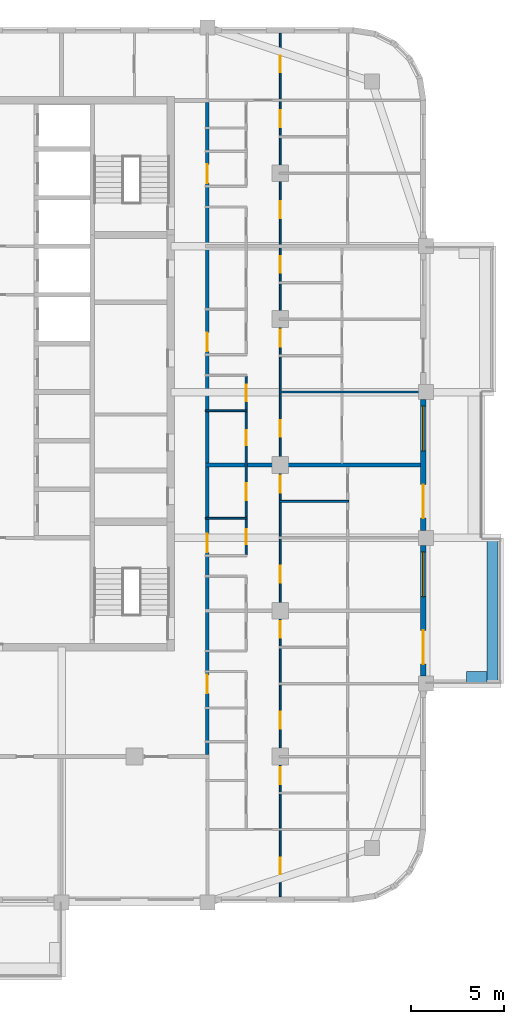
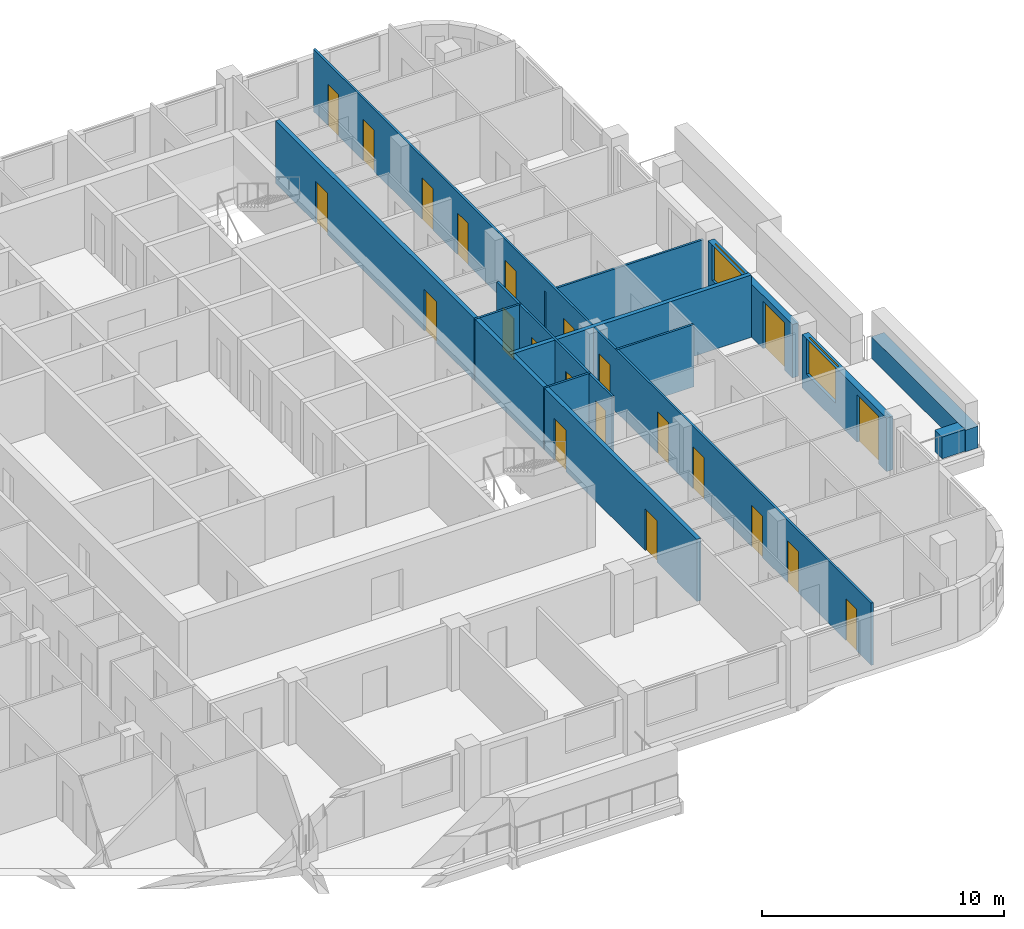
# One storey, part 7 of 16: 22 doors, 12 walls, 2 windows, 24 openings.
"""IFC4 building model written with IfcOpenShell, lengths in metres."""

import ifcopenshell
import ifcopenshell.guid

model = None  # the IFC model being written
_history = None  # IfcOwnerHistory: only IFC2X3 demands one
_inside = {}  # id of a spatial element -> (the spatial element, [elements in it])
_under = {}  # id of a project, library or spatial element -> (it, [spatial elements below it])
_declared = {}  # id of a project -> (the project, [libraries it declares])
_typed = {}  # id of a type object -> (the type object, [elements of that type])
_made_of = {}  # id of a material, layer set ... -> (it, [elements and type objects made of it])


def new_model(schema):
    """Start an empty IFC model of exactly this schema.

    Asked for "IFC4X3", IfcOpenShell would pick the latest addendum, in which some entities
    have other attributes; the version numbers below select the first issue.
    IFC2X3 requires an IfcOwnerHistory on every rooted entity: one is made here for all.
    """
    global model, _history
    if schema == "IFC4X3":
        model = ifcopenshell.file(schema_version=(4, 3, 0, 0))
    else:
        model = ifcopenshell.file(schema=schema)
    _inside.clear()
    _under.clear()
    _declared.clear()
    _typed.clear()
    _made_of.clear()
    _history = None
    if model.schema == "IFC2X3":
        org = make("IfcOrganization", Name="unknown")
        user = make(
            "IfcPersonAndOrganization",
            ThePerson=make("IfcPerson", FamilyName="unknown"),
            TheOrganization=org,
        )
        app = make(
            "IfcApplication",
            ApplicationDeveloper=org,
            Version="unknown",
            ApplicationFullName="unknown",
            ApplicationIdentifier="unknown",
        )
        _history = make(
            "IfcOwnerHistory",
            OwningUser=user,
            OwningApplication=app,
            ChangeAction="ADDED",
            CreationDate=0,
        )
    return model


def make(cls, **values):
    """One entity of the class cls with the attributes given. An attribute that is None is left unset."""
    return model.create_entity(
        cls, **{name: value for name, value in values.items() if value is not None}
    )


def rooted(cls, **values):
    """An entity with a GlobalId (a new one), such as an element, a storey or a relation."""
    return make(cls, GlobalId=ifcopenshell.guid.new(), OwnerHistory=_history, **values)


def si_unit(unit_type, name, prefix=None):
    """IfcSIUnit, for example si_unit("LENGTHUNIT", "METRE", prefix="MILLI")."""
    return make("IfcSIUnit", UnitType=unit_type, Prefix=prefix, Name=name)


def assignment(units):
    """IfcUnitAssignment: the units of a project."""
    return None if units is None else make("IfcUnitAssignment", Units=units)


def point(xyz):
    """IfcCartesianPoint."""
    return None if xyz is None else make("IfcCartesianPoint", Coordinates=xyz)


def direction(xyz):
    """IfcDirection."""
    return None if xyz is None else make("IfcDirection", DirectionRatios=xyz)


def frame(location, z_axis=None, x_axis=None):
    """IfcAxis2Placement3D, a coordinate frame: its origin and axes. An axis left out is left unset."""
    return make(
        "IfcAxis2Placement3D",
        Location=point(location),
        Axis=direction(z_axis),
        RefDirection=direction(x_axis),
    )


def frame_2d(location, x_axis=None):
    """IfcAxis2Placement2D, a coordinate frame in the plane: its origin and x axis."""
    return make(
        "IfcAxis2Placement2D", Location=point(location), RefDirection=direction(x_axis)
    )


def origin():
    """The frame at (0, 0, 0) with its axes left unset."""
    return frame((0.0, 0.0, 0.0))


def place(relative_to, where):
    """IfcLocalPlacement: puts the frame where relative to a parent placement (None: the world)."""
    return make(
        "IfcLocalPlacement", PlacementRelTo=relative_to, RelativePlacement=where
    )


def context(
    kind, dimensions, precision=None, world=None, true_north=None, identifier=None
):
    """IfcGeometricRepresentationContext, for example the 3D "Model" context."""
    return make(
        "IfcGeometricRepresentationContext",
        ContextIdentifier=identifier,
        ContextType=kind,
        CoordinateSpaceDimension=dimensions,
        Precision=precision,
        WorldCoordinateSystem=world,
        TrueNorth=true_north,
    )


def subcontext(parent, identifier, kind, view, scale=None):
    """IfcGeometricRepresentationSubContext, for example "Body" below "Model"."""
    return make(
        "IfcGeometricRepresentationSubContext",
        ContextIdentifier=identifier,
        ContextType=kind,
        ParentContext=parent,
        TargetScale=scale,
        TargetView=view,
    )


def project(units=None, contexts=None):
    """IfcProject with its units and contexts."""
    return rooted(
        "IfcProject",
        Name="project",
        RepresentationContexts=contexts,
        UnitsInContext=assignment(units),
    )


def spatial(cls, under=None, at=None, **own):
    """A site, building, storey or space (cls), placed at a placement, below another one or the project."""
    s = rooted(cls, ObjectPlacement=at, **own)
    if under is not None:
        _under.setdefault(under.id(), (under, []))[1].append(s)
    return s


def profile(cls, at=None, kind="AREA", **sizes):
    """A parametric profile (cls). Its sizes go by their IFC names, for example OverallWidth=200.0."""
    return make(cls, ProfileType=kind, Position=at, **sizes)


def rectangle(**sizes):
    """IfcRectangleProfileDef."""
    return profile("IfcRectangleProfileDef", **sizes)


def extrude(swept, where, along, depth):
    """IfcExtrudedAreaSolid: the profile swept, set in the frame where, extruded along a direction by depth."""
    return make(
        "IfcExtrudedAreaSolid",
        SweptArea=swept,
        Position=where,
        ExtrudedDirection=direction(along),
        Depth=depth,
    )


def shape(context_of_items, identifier, shape_type, items):
    """IfcShapeRepresentation: the items that make up one representation, for example the "Body"."""
    return make(
        "IfcShapeRepresentation",
        ContextOfItems=context_of_items,
        RepresentationIdentifier=identifier,
        RepresentationType=shape_type,
        Items=items,
    )


def material(Name=None, Category=None):
    """IfcMaterial."""
    return make("IfcMaterial", Name=Name, Category=Category)


def layer(
    of_material, thickness, ventilated=None, Name=None, Category=None, Priority=None
):
    """IfcMaterialLayer: one layer of a wall or slab, of a material (None: an air gap)."""
    return make(
        "IfcMaterialLayer",
        Material=of_material,
        LayerThickness=thickness,
        IsVentilated=ventilated,
        Name=Name,
        Category=Category,
        Priority=Priority,
    )


def layer_set(layers, Name=None):
    """IfcMaterialLayerSet."""
    return make("IfcMaterialLayerSet", MaterialLayers=layers, LayerSetName=Name)


def made_of(thing, what):
    """Note that an element or type object is made of a material, layer set ...; save() writes the relation."""
    if what is not None:
        _made_of.setdefault(what.id(), (what, []))[1].append(thing)
    return thing


def type_object(cls, material=None, **own):
    """A type object (cls), such as IfcWallType, which elements share."""
    return made_of(rooted(cls, **own), material)


def element(
    cls,
    number,
    at=None,
    inside=None,
    cuts=None,
    type_object=None,
    material=None,
    context=None,
    identifier="Body",
    shape_type=None,
    held_by="IfcProductDefinitionShape",
    body=None,
    shapes=None,
    **own,
):
    """One element of the class cls, such as IfcWall. Its Tag is "e" and its number.

    at: its placement. inside: the storey or other place that contains it. cuts: it is an
    opening in that element (IfcRelVoidsElement). A single representation is given by context,
    identifier, shape_type and body (its items); several are given by shapes. held_by: the class
    of the entity that holds the representations. save() writes the other relations.
    """
    e = rooted(cls, Tag="e%d" % number, ObjectPlacement=at, **own)
    if body is not None:
        shapes = [shape(context, identifier, shape_type, body)]
    if shapes is not None:
        e.Representation = make(held_by, Representations=shapes)
    if inside is not None:
        _inside.setdefault(inside.id(), (inside, []))[1].append(e)
    if cuts is not None:
        rooted(
            "IfcRelVoidsElement", RelatingBuildingElement=cuts, RelatedOpeningElement=e
        )
    if type_object is not None:
        _typed.setdefault(type_object.id(), (type_object, []))[1].append(e)
    return made_of(e, material)


def fill(opening, filler):
    """IfcRelFillsElement: the door or window that sits in an opening."""
    return rooted(
        "IfcRelFillsElement",
        RelatingOpeningElement=opening,
        RelatedBuildingElement=filler,
    )


def aggregate(whole, parts):
    """IfcRelAggregates: a whole, such as a stair, and the parts it consists of."""
    return rooted("IfcRelAggregates", RelatingObject=whole, RelatedObjects=parts)


def save(model, path):
    """Write the relations noted so far, then the file.

    IfcRelAggregates (storeys below a building ...), IfcRelContainedInSpatialStructure (elements
    in a storey), IfcRelDefinesByType, IfcRelAssociatesMaterial and IfcRelDeclares: one each for
    every whole, place, type object, material and project.
    """
    for whole, parts in _under.values():
        aggregate(whole, parts)
    for where, things in _inside.values():
        rooted(
            "IfcRelContainedInSpatialStructure",
            RelatedElements=things,
            RelatingStructure=where,
        )
    for kind, things in _typed.values():
        rooted("IfcRelDefinesByType", RelatedObjects=things, RelatingType=kind)
    for what, things in _made_of.values():
        rooted("IfcRelAssociatesMaterial", RelatedObjects=things, RelatingMaterial=what)
    for by, libraries in _declared.values():
        rooted("IfcRelDeclares", RelatingContext=by, RelatedDefinitions=libraries)
    model.write(path)


model = new_model("IFC4")

# Units and contexts
model_context = context("Model", 3, precision=1e-05, world=origin(), true_north=direction((0.0, 1.0)))
body_context = subcontext(model_context, "Body", "Model", "MODEL_VIEW")
ifc_project = project(units=[si_unit("LENGTHUNIT", "METRE"), si_unit("AREAUNIT", "SQUARE_METRE"), si_unit("VOLUMEUNIT", "CUBIC_METRE"), si_unit("PLANEANGLEUNIT", "RADIAN"), si_unit("MASSUNIT", "GRAM", prefix="KILO")], contexts=[model_context])

# Site, building, storey
site_placement = place(None, origin())
site = spatial("IfcSite", under=ifc_project, at=site_placement, CompositionType="ELEMENT")
building_placement = place(site_placement, origin())
building = spatial("IfcBuilding", under=site, at=building_placement, Name="Ludao Terraces", CompositionType="ELEMENT")
storey_placement = place(building_placement, frame((0.0, 0.0, 214.300048828125)))
storey = spatial("IfcBuildingStorey", under=building, at=storey_placement, Name="L58", CompositionType="ELEMENT", Elevation=214.300048828125)

# Walls
ifc_material_1 = material(Name="Concrete C40", Category="concrete")
ifc_layer_1 = layer(ifc_material_1, 0.60009765625)
ifc_layer_set_1 = layer_set([ifc_layer_1], Name="ENV Planter trough 600")
wall_type_1 = type_object("IfcWallType", Name="ENV Planter trough 600", PredefinedType="USERDEFINED", material=ifc_layer_set_1)
wall_1_placement = place(storey_placement, frame((111.949951171875, 53.300048828125, 0.0), z_axis=(0.0, 0.0, 1.0), x_axis=(0.0, 1.0, 0.0)))
element("IfcWall", 1, at=wall_1_placement, inside=storey, type_object=wall_type_1, Name="PL-L58-E1", ObjectType="PLANTER", PredefinedType="USERDEFINED", context=body_context, shape_type="SweptSolid", body=[
    extrude(rectangle(XDim=7.800048828125, YDim=0.60009765625, at=frame_2d((3.89990234375, 0.0))), origin(), (0.0, 0.0, 1.0), 1.099853515625),
])
wall_2_placement = place(storey_placement, frame((111.64990234375, 53.64990234375, 0.0), z_axis=(0.0, 0.0, 1.0), x_axis=(-1.0, 0.0, 0.0)))
element("IfcWall", 2, at=wall_2_placement, inside=storey, type_object=wall_type_1, Name="PL-L58-E1-SA", ObjectType="PLANTER", PredefinedType="USERDEFINED", context=body_context, shape_type="SweptSolid", body=[
    extrude(rectangle(XDim=1.099853515625, YDim=0.60009765625, at=frame_2d((0.5498046875, 0.0))), origin(), (0.0, 0.0, 1.0), 1.099853515625),
])

# Wall, openings, door, window
ifc_material_2 = material(Name="Granite cladding", Category="masonry")
ifc_layer_2 = layer(ifc_material_2, 0.0400390625, Category="stone")
ifc_material_3 = material(Name="Mineral wool")
ifc_layer_3 = layer(ifc_material_3, 0.06005859375)
ifc_layer_4 = layer(ifc_material_1, 0.199951171875, Category="concrete")
ifc_layer_set_2 = layer_set([ifc_layer_2, ifc_layer_3, ifc_layer_4], Name="ENV Stone-clad wall 300")
wall_type_2 = type_object("IfcWallType", Name="ENV Stone-clad wall 300", PredefinedType="SOLIDWALL", material=ifc_layer_set_2)
wall_3_placement = place(storey_placement, frame((108.25, 53.699951171875, 0.0), z_axis=(0.0, 0.0, 1.0), x_axis=(0.0, 1.0, 0.0)))
wall_3 = element("IfcWall", 3, at=wall_3_placement, inside=storey, type_object=wall_type_2, Name="EW-L58-E2", PredefinedType="SOLIDWALL", context=body_context, shape_type="SweptSolid", body=[
    extrude(rectangle(XDim=7.0, YDim=0.300048828125, at=frame_2d((3.5, 0.0))), origin(), (0.0, 0.0, 1.0), 2.699951171875),
])
opening_1_placement = place(wall_3_placement, frame((0.64990234375, 0.0, 0.0)))
opening_1 = element("IfcOpeningElement", 4, at=opening_1_placement, cuts=wall_3, Name="Opening BD", PredefinedType="OPENING", context=body_context, shape_type="SweptSolid", body=[
    extrude(rectangle(XDim=1.800048828125, YDim=2.39990234375, at=frame_2d((0.89990234375, 1.199951171875))), frame((0.0, 0.16015625, 0.0), z_axis=(0.0, -1.0, 0.0), x_axis=(1.0, 0.0, 0.0)), (0.0, 0.0, 1.0), 0.320068359375),
])
opening_2_placement = place(wall_3_placement, frame((4.25, 0.0, 0.89990234375)))
opening_2 = element("IfcOpeningElement", 5, at=opening_2_placement, cuts=wall_3, Name="Opening W1", PredefinedType="OPENING", context=body_context, shape_type="SweptSolid", body=[
    extrude(rectangle(XDim=2.39990234375, YDim=1.800048828125, at=frame_2d((1.199951171875, 0.89990234375))), frame((0.0, 0.16015625, 0.0), z_axis=(0.0, -1.0, 0.0), x_axis=(1.0, 0.0, 0.0)), (0.0, 0.0, 1.0), 0.320068359375),
])
ifc_material_4 = material(Name="Aluminium glazed door", Category="aluminium")
ifc_layer_5 = layer(ifc_material_4, 0.06005859375)
ifc_layer_set_3 = layer_set([ifc_layer_5], Name="ENV Balcony door BD 1800x2400")
door_type_1 = type_object("IfcDoorType", Name="ENV Balcony door BD 1800x2400", OperationType="DOUBLE_DOOR_SINGLE_SWING", PredefinedType="DOOR", material=ifc_layer_set_3)
door_1_placement = place(opening_1_placement, origin())
door_1 = element("IfcDoor", 6, at=door_1_placement, inside=storey, type_object=door_type_1, Name="BD-L58-E2-1", OperationType="DOUBLE_DOOR_SINGLE_SWING", OverallHeight=2.39990234375, OverallWidth=1.800048828125, PredefinedType="DOOR", context=body_context, shape_type="SweptSolid", body=[
    extrude(rectangle(XDim=1.800048828125, YDim=2.39990234375, at=frame_2d((0.89990234375, 1.199951171875))), frame((0.0, 0.02490234375, 0.0), z_axis=(0.0, -1.0, 0.0), x_axis=(1.0, 0.0, 0.0)), (0.0, 0.0, 1.0), 0.050048828125),
])
fill(opening_1, door_1)
ifc_material_5 = material(Name="Clear glass in aluminium frame", Category="aluminium")
ifc_layer_6 = layer(ifc_material_5, 0.06005859375)
ifc_layer_set_4 = layer_set([ifc_layer_6], Name="ENV Window W1 2400x1800")
window_type = type_object("IfcWindowType", Name="ENV Window W1 2400x1800", PartitioningType="DOUBLE_PANEL_VERTICAL", PredefinedType="WINDOW", material=ifc_layer_set_4)
window_1_placement = place(opening_2_placement, origin())
window_1 = element("IfcWindow", 7, at=window_1_placement, inside=storey, type_object=window_type, Name="W-L58-E2-2", OverallHeight=1.800048828125, OverallWidth=2.39990234375, PartitioningType="DOUBLE_PANEL_VERTICAL", PredefinedType="WINDOW", context=body_context, shape_type="SweptSolid", body=[
    extrude(rectangle(XDim=2.39990234375, YDim=1.800048828125, at=frame_2d((1.199951171875, 0.89990234375))), frame((0.0, 0.030029296875, 0.0), z_axis=(0.0, -1.0, 0.0), x_axis=(1.0, 0.0, 0.0)), (0.0, 0.0, 1.0), 0.06005859375),
])
fill(opening_2, window_1)

wall_4_placement = place(storey_placement, frame((108.25, 61.5, 0.0), z_axis=(0.0, 0.0, 1.0), x_axis=(0.0, 1.0, 0.0)))
wall_4 = element("IfcWall", 8, at=wall_4_placement, inside=storey, type_object=wall_type_2, Name="EW-L58-E3", PredefinedType="SOLIDWALL", context=body_context, shape_type="SweptSolid", body=[
    extrude(rectangle(XDim=7.0, YDim=0.300048828125, at=frame_2d((3.5, 0.0))), origin(), (0.0, 0.0, 1.0), 2.699951171875),
])
opening_3_placement = place(wall_4_placement, frame((0.64990234375, 0.0, 0.0)))
opening_3 = element("IfcOpeningElement", 9, at=opening_3_placement, cuts=wall_4, Name="Opening BD", PredefinedType="OPENING", context=body_context, shape_type="SweptSolid", body=[
    extrude(rectangle(XDim=1.800048828125, YDim=2.39990234375, at=frame_2d((0.89990234375, 1.199951171875))), frame((0.0, 0.16015625, 0.0), z_axis=(0.0, -1.0, 0.0), x_axis=(1.0, 0.0, 0.0)), (0.0, 0.0, 1.0), 0.320068359375),
])
opening_4_placement = place(wall_4_placement, frame((4.25, 0.0, 0.89990234375)))
opening_4 = element("IfcOpeningElement", 10, at=opening_4_placement, cuts=wall_4, Name="Opening W1", PredefinedType="OPENING", context=body_context, shape_type="SweptSolid", body=[
    extrude(rectangle(XDim=2.39990234375, YDim=1.800048828125, at=frame_2d((1.199951171875, 0.89990234375))), frame((0.0, 0.16015625, 0.0), z_axis=(0.0, -1.0, 0.0), x_axis=(1.0, 0.0, 0.0)), (0.0, 0.0, 1.0), 0.320068359375),
])
door_2_placement = place(opening_3_placement, origin())
door_2 = element("IfcDoor", 11, at=door_2_placement, inside=storey, type_object=door_type_1, Name="BD-L58-E3-1", OperationType="DOUBLE_DOOR_SINGLE_SWING", OverallHeight=2.39990234375, OverallWidth=1.800048828125, PredefinedType="DOOR", context=body_context, shape_type="SweptSolid", body=[
    extrude(rectangle(XDim=1.800048828125, YDim=2.39990234375, at=frame_2d((0.89990234375, 1.199951171875))), frame((0.0, 0.02490234375, 0.0), z_axis=(0.0, -1.0, 0.0), x_axis=(1.0, 0.0, 0.0)), (0.0, 0.0, 1.0), 0.050048828125),
])
fill(opening_3, door_2)
window_2_placement = place(opening_4_placement, origin())
window_2 = element("IfcWindow", 12, at=window_2_placement, inside=storey, type_object=window_type, Name="W-L58-E3-2", OverallHeight=1.800048828125, OverallWidth=2.39990234375, PartitioningType="DOUBLE_PANEL_VERTICAL", PredefinedType="WINDOW", context=body_context, shape_type="SweptSolid", body=[
    extrude(rectangle(XDim=2.39990234375, YDim=1.800048828125, at=frame_2d((1.199951171875, 0.89990234375))), frame((0.0, 0.030029296875, 0.0), z_axis=(0.0, -1.0, 0.0), x_axis=(1.0, 0.0, 0.0)), (0.0, 0.0, 1.0), 0.06005859375),
])
fill(opening_4, window_2)

# Wall, openings, doors
ifc_material_6 = material(Name="Autoclaved aerated concrete block B06 A3.5", Category="concrete")
ifc_layer_7 = layer(ifc_material_6, 0.199951171875)
ifc_layer_set_5 = layer_set([ifc_layer_7], Name="INT Entrance wall 200")
wall_type_3 = type_object("IfcWallType", Name="INT Entrance wall 200", PredefinedType="PARTITIONING", material=ifc_layer_set_5)
wall_5_placement = place(storey_placement, frame((96.699951171875, 49.5, 0.0), z_axis=(0.0, 0.0, 1.0), x_axis=(0.0, 1.0, 0.0)))
wall_5 = element("IfcWall", 13, at=wall_5_placement, inside=storey, type_object=wall_type_3, Name="PW-L58-PW090", PredefinedType="PARTITIONING", context=body_context, shape_type="SweptSolid", body=[
    extrude(rectangle(XDim=34.900146484375, YDim=0.199951171875, at=frame_2d((17.4501953125, 0.0))), origin(), (0.0, 0.0, 1.0), 3.14990234375),
])
opening_5_placement = place(wall_5_placement, frame((3.275146484375, 0.0, 0.0)))
opening_5 = element("IfcOpeningElement", 14, at=opening_5_placement, cuts=wall_5, Name="Opening R21-028", PredefinedType="OPENING", context=body_context, shape_type="SweptSolid", body=[
    extrude(rectangle(XDim=1.0, YDim=2.10009765625, at=frame_2d((0.5, 1.050048828125))), frame((0.0, 0.10986328125, 0.0), z_axis=(0.0, -1.0, 0.0), x_axis=(1.0, 0.0, 0.0)), (0.0, 0.0, 1.0), 0.219970703125),
])
opening_6_placement = place(wall_5_placement, frame((10.8251953125, 0.0, 0.0)))
opening_6 = element("IfcOpeningElement", 15, at=opening_6_placement, cuts=wall_5, Name="Opening R21-049", PredefinedType="OPENING", context=body_context, shape_type="SweptSolid", body=[
    extrude(rectangle(XDim=1.0, YDim=2.10009765625, at=frame_2d((0.5, 1.050048828125))), frame((0.0, 0.10986328125, 0.0), z_axis=(0.0, -1.0, 0.0), x_axis=(1.0, 0.0, 0.0)), (0.0, 0.0, 1.0), 0.219970703125),
])
opening_7_placement = place(wall_5_placement, frame((21.5751953125, 0.0, 0.0)))
opening_7 = element("IfcOpeningElement", 16, at=opening_7_placement, cuts=wall_5, Name="Opening R21-083", PredefinedType="OPENING", context=body_context, shape_type="SweptSolid", body=[
    extrude(rectangle(XDim=1.0, YDim=2.10009765625, at=frame_2d((0.5, 1.050048828125))), frame((0.0, 0.10986328125, 0.0), z_axis=(0.0, -1.0, 0.0), x_axis=(1.0, 0.0, 0.0)), (0.0, 0.0, 1.0), 0.219970703125),
])
opening_8_placement = place(wall_5_placement, frame((30.5751953125, 0.0, 0.0)))
opening_8 = element("IfcOpeningElement", 17, at=opening_8_placement, cuts=wall_5, Name="Opening R21-118", PredefinedType="OPENING", context=body_context, shape_type="SweptSolid", body=[
    extrude(rectangle(XDim=1.0, YDim=2.10009765625, at=frame_2d((0.5, 1.050048828125))), frame((0.0, 0.10986328125, 0.0), z_axis=(0.0, -1.0, 0.0), x_axis=(1.0, 0.0, 0.0)), (0.0, 0.0, 1.0), 0.219970703125),
])
ifc_material_7 = material(Name="Steel Q235", Category="steel")
door_type_2 = type_object("IfcDoorType", Name="INT Flat entrance door 1000", OperationType="SINGLE_SWING_LEFT", PredefinedType="DOOR", material=ifc_material_7)
door_3_placement = place(opening_5_placement, origin())
door_3 = element("IfcDoor", 18, at=door_3_placement, inside=storey, type_object=door_type_2, Name="DOOR 028", OperationType="SINGLE_SWING_RIGHT", OverallHeight=2.10009765625, OverallWidth=1.0, PredefinedType="DOOR", context=body_context, shape_type="SweptSolid", body=[
    extrude(rectangle(XDim=1.0, YDim=2.10009765625, at=frame_2d((0.5, 1.050048828125))), frame((0.0, 0.02490234375, 0.0), z_axis=(0.0, -1.0, 0.0), x_axis=(1.0, 0.0, 0.0)), (0.0, 0.0, 1.0), 0.050048828125),
])
fill(opening_5, door_3)
door_4_placement = place(opening_6_placement, origin())
door_4 = element("IfcDoor", 19, at=door_4_placement, inside=storey, type_object=door_type_2, Name="DOOR 049", OperationType="SINGLE_SWING_LEFT", OverallHeight=2.10009765625, OverallWidth=1.0, PredefinedType="DOOR", context=body_context, shape_type="SweptSolid", body=[
    extrude(rectangle(XDim=1.0, YDim=2.10009765625, at=frame_2d((0.5, 1.050048828125))), frame((0.0, 0.02490234375, 0.0), z_axis=(0.0, -1.0, 0.0), x_axis=(1.0, 0.0, 0.0)), (0.0, 0.0, 1.0), 0.050048828125),
])
fill(opening_6, door_4)
door_5_placement = place(opening_7_placement, origin())
door_5 = element("IfcDoor", 20, at=door_5_placement, inside=storey, type_object=door_type_2, Name="DOOR 083", OperationType="SINGLE_SWING_LEFT", OverallHeight=2.10009765625, OverallWidth=1.0, PredefinedType="DOOR", context=body_context, shape_type="SweptSolid", body=[
    extrude(rectangle(XDim=1.0, YDim=2.10009765625, at=frame_2d((0.5, 1.050048828125))), frame((0.0, 0.02490234375, 0.0), z_axis=(0.0, -1.0, 0.0), x_axis=(1.0, 0.0, 0.0)), (0.0, 0.0, 1.0), 0.050048828125),
])
fill(opening_7, door_5)
door_6_placement = place(opening_8_placement, origin())
door_6 = element("IfcDoor", 21, at=door_6_placement, inside=storey, type_object=door_type_2, Name="DOOR 118", OperationType="SINGLE_SWING_LEFT", OverallHeight=2.10009765625, OverallWidth=1.0, PredefinedType="DOOR", context=body_context, shape_type="SweptSolid", body=[
    extrude(rectangle(XDim=1.0, YDim=2.10009765625, at=frame_2d((0.5, 1.050048828125))), frame((0.0, 0.02490234375, 0.0), z_axis=(0.0, -1.0, 0.0), x_axis=(1.0, 0.0, 0.0)), (0.0, 0.0, 1.0), 0.050048828125),
])
fill(opening_8, door_6)

# Walls
ifc_material_8 = material(Name="Gypsum plasterboard", Category="gypsum")
ifc_layer_8 = layer(ifc_material_8, 0.012451171875, Category="gypsum")
ifc_layer_9 = layer(ifc_material_3, 0.06005859375, Name="insulation")
ifc_layer_10 = layer(ifc_material_7, 0.014892578125, Name="stud")
ifc_layer_11 = layer(ifc_material_8, 0.012451171875, Category="gypsum")
ifc_layer_set_6 = layer_set([ifc_layer_8, ifc_layer_9, ifc_layer_10, ifc_layer_11], Name="INT Partition 100")
wall_type_4 = type_object("IfcWallType", Name="INT Partition 100", PredefinedType="PARTITIONING", material=ifc_layer_set_6)
wall_6_placement = place(storey_placement, frame((96.60009765625, 62.14990234375, 0.0), z_axis=(0.0, 0.0, 1.0), x_axis=(1.0, 0.0, 0.0)))
element("IfcWall", 22, at=wall_6_placement, inside=storey, type_object=wall_type_4, Name="PW-L58-PW029", PredefinedType="PARTITIONING", context=body_context, shape_type="SweptSolid", body=[
    extrude(rectangle(XDim=2.219970703125, YDim=0.10009765625, at=frame_2d((1.10986328125, 0.0))), origin(), (0.0, 0.0, 1.0), 3.14990234375),
])
wall_7_placement = place(storey_placement, frame((100.550048828125, 63.050048828125, 0.0), z_axis=(0.0, 0.0, 1.0), x_axis=(1.0, 0.0, 0.0)))
element("IfcWall", 23, at=wall_7_placement, inside=storey, type_object=wall_type_4, Name="PW-L58-PW030", PredefinedType="PARTITIONING", context=body_context, shape_type="SweptSolid", body=[
    extrude(rectangle(XDim=3.699951171875, YDim=0.10009765625, at=frame_2d((1.85009765625, 0.0))), origin(), (0.0, 0.0, 1.0), 3.14990234375),
])
wall_8_placement = place(storey_placement, frame((96.60009765625, 67.89990234375, 0.0), z_axis=(0.0, 0.0, 1.0), x_axis=(1.0, 0.0, 0.0)))
element("IfcWall", 24, at=wall_8_placement, inside=storey, type_object=wall_type_4, Name="PW-L58-PW036", PredefinedType="PARTITIONING", context=body_context, shape_type="SweptSolid", body=[
    extrude(rectangle(XDim=2.219970703125, YDim=0.10009765625, at=frame_2d((1.10986328125, 0.0))), origin(), (0.0, 0.0, 1.0), 3.14990234375),
])
wall_9_placement = place(storey_placement, frame((100.550048828125, 68.89990234375, 0.0), z_axis=(0.0, 0.0, 1.0), x_axis=(1.0, 0.0, 0.0)))
element("IfcWall", 25, at=wall_9_placement, inside=storey, type_object=wall_type_4, Name="PW-L58-PW039", PredefinedType="PARTITIONING", context=body_context, shape_type="SweptSolid", body=[
    extrude(rectangle(XDim=7.550048828125, YDim=0.10009765625, at=frame_2d((3.77490234375, 0.0))), origin(), (0.0, 0.0, 1.0), 2.5498046875),
])

# Wall, openings, doors
wall_10_placement = place(storey_placement, frame((98.77001953125, 60.2001953125, 0.0), z_axis=(0.0, 0.0, 1.0), x_axis=(0.0, 1.0, 0.0)))
wall_10 = element("IfcWall", 26, at=wall_10_placement, inside=storey, type_object=wall_type_4, Name="PW-L58-PW094", PredefinedType="PARTITIONING", context=body_context, shape_type="SweptSolid", body=[
    extrude(rectangle(XDim=9.5498046875, YDim=0.10009765625, at=frame_2d((4.77490234375, 0.0))), origin(), (0.0, 0.0, 1.0), 3.14990234375),
])
opening_9_placement = place(wall_10_placement, frame((0.5498046875, 0.0, 0.0)))
opening_9 = element("IfcOpeningElement", 27, at=opening_9_placement, cuts=wall_10, Name="Opening R21-051", PredefinedType="OPENING", context=body_context, shape_type="SweptSolid", body=[
    extrude(rectangle(XDim=0.800048828125, YDim=2.10009765625, at=frame_2d((0.39990234375, 1.050048828125))), frame((0.0, 0.06005859375, 0.0), z_axis=(0.0, -1.0, 0.0), x_axis=(1.0, 0.0, 0.0)), (0.0, 0.0, 1.0), 0.1201171875),
])
opening_10_placement = place(wall_10_placement, frame((2.9248046875, 0.0, 0.0)))
opening_10 = element("IfcOpeningElement", 28, at=opening_10_placement, cuts=wall_10, Name="Opening R21-060", PredefinedType="OPENING", context=body_context, shape_type="SweptSolid", body=[
    extrude(rectangle(XDim=0.89990234375, YDim=2.10009765625, at=frame_2d((0.449951171875, 1.050048828125))), frame((0.0, 0.06005859375, 0.0), z_axis=(0.0, -1.0, 0.0), x_axis=(1.0, 0.0, 0.0)), (0.0, 0.0, 1.0), 0.1201171875),
])
opening_11_placement = place(wall_10_placement, frame((5.849853515625, 0.0, 0.0)))
opening_11 = element("IfcOpeningElement", 29, at=opening_11_placement, cuts=wall_10, Name="Opening R21-067", PredefinedType="OPENING", context=body_context, shape_type="SweptSolid", body=[
    extrude(rectangle(XDim=0.800048828125, YDim=2.10009765625, at=frame_2d((0.39990234375, 1.050048828125))), frame((0.0, 0.06005859375, 0.0), z_axis=(0.0, -1.0, 0.0), x_axis=(1.0, 0.0, 0.0)), (0.0, 0.0, 1.0), 0.1201171875),
])
opening_12_placement = place(wall_10_placement, frame((8.199951171875, 0.0, 0.0)))
opening_12 = element("IfcOpeningElement", 30, at=opening_12_placement, cuts=wall_10, Name="Opening R21-074", PredefinedType="OPENING", context=body_context, shape_type="SweptSolid", body=[
    extrude(rectangle(XDim=0.89990234375, YDim=2.10009765625, at=frame_2d((0.449951171875, 1.050048828125))), frame((0.0, 0.06005859375, 0.0), z_axis=(0.0, -1.0, 0.0), x_axis=(1.0, 0.0, 0.0)), (0.0, 0.0, 1.0), 0.1201171875),
])
ifc_material_9 = material(Name="Timber door leaf", Category="wood")
door_type_3 = type_object("IfcDoorType", Name="INT Bathroom door 900", OperationType="SINGLE_SWING_LEFT", PredefinedType="DOOR", material=ifc_material_9)
door_7_placement = place(opening_12_placement, origin())
door_7 = element("IfcDoor", 31, at=door_7_placement, inside=storey, type_object=door_type_3, Name="DOOR 074", OperationType="SINGLE_SWING_LEFT", OverallHeight=2.10009765625, OverallWidth=0.89990234375, PredefinedType="DOOR", context=body_context, shape_type="SweptSolid", body=[
    extrude(rectangle(XDim=0.89990234375, YDim=2.10009765625, at=frame_2d((0.449951171875, 1.050048828125))), frame((0.0, 0.02490234375, 0.0), z_axis=(0.0, -1.0, 0.0), x_axis=(1.0, 0.0, 0.0)), (0.0, 0.0, 1.0), 0.050048828125),
])
fill(opening_12, door_7)
door_type_4 = type_object("IfcDoorType", Name="INT Room door 900", OperationType="SINGLE_SWING_LEFT", PredefinedType="DOOR", material=ifc_material_9)
door_8_placement = place(opening_10_placement, origin())
door_8 = element("IfcDoor", 32, at=door_8_placement, inside=storey, type_object=door_type_4, Name="DOOR 060", OperationType="SINGLE_SWING_LEFT", OverallHeight=2.10009765625, OverallWidth=0.89990234375, PredefinedType="DOOR", context=body_context, shape_type="SweptSolid", body=[
    extrude(rectangle(XDim=0.89990234375, YDim=2.10009765625, at=frame_2d((0.449951171875, 1.050048828125))), frame((0.0, 0.02490234375, 0.0), z_axis=(0.0, -1.0, 0.0), x_axis=(1.0, 0.0, 0.0)), (0.0, 0.0, 1.0), 0.050048828125),
])
fill(opening_10, door_8)
door_type_5 = type_object("IfcDoorType", Name="INT Store door 800", OperationType="SINGLE_SWING_LEFT", PredefinedType="DOOR", material=ifc_material_9)
door_9_placement = place(opening_9_placement, origin())
door_9 = element("IfcDoor", 33, at=door_9_placement, inside=storey, type_object=door_type_5, Name="DOOR 051", OperationType="SINGLE_SWING_LEFT", OverallHeight=2.10009765625, OverallWidth=0.800048828125, PredefinedType="DOOR", context=body_context, shape_type="SweptSolid", body=[
    extrude(rectangle(XDim=0.800048828125, YDim=2.10009765625, at=frame_2d((0.39990234375, 1.050048828125))), frame((0.0, 0.02490234375, 0.0), z_axis=(0.0, -1.0, 0.0), x_axis=(1.0, 0.0, 0.0)), (0.0, 0.0, 1.0), 0.050048828125),
])
fill(opening_9, door_9)
door_10_placement = place(opening_11_placement, origin())
door_10 = element("IfcDoor", 34, at=door_10_placement, inside=storey, type_object=door_type_5, Name="DOOR 067", OperationType="SINGLE_SWING_LEFT", OverallHeight=2.10009765625, OverallWidth=0.800048828125, PredefinedType="DOOR", context=body_context, shape_type="SweptSolid", body=[
    extrude(rectangle(XDim=0.800048828125, YDim=2.10009765625, at=frame_2d((0.39990234375, 1.050048828125))), frame((0.0, 0.02490234375, 0.0), z_axis=(0.0, -1.0, 0.0), x_axis=(1.0, 0.0, 0.0)), (0.0, 0.0, 1.0), 0.050048828125),
])
fill(opening_11, door_10)

wall_11_placement = place(storey_placement, frame((100.60009765625, 41.900146484375, 0.0), z_axis=(0.0, 0.0, 1.0), x_axis=(0.0, 1.0, 0.0)))
wall_11 = element("IfcWall", 35, at=wall_11_placement, inside=storey, type_object=wall_type_4, Name="PW-L58-PW097", PredefinedType="PARTITIONING", context=body_context, shape_type="SweptSolid", body=[
    extrude(rectangle(XDim=46.199951171875, YDim=0.10009765625, at=frame_2d((23.10009765625, 0.0))), origin(), (0.0, 0.0, 1.0), 3.14990234375),
])
opening_13_placement = place(wall_11_placement, frame((1.199951171875, 0.0, 0.0)))
opening_13 = element("IfcOpeningElement", 36, at=opening_13_placement, cuts=wall_11, Name="Opening R21-003", PredefinedType="OPENING", context=body_context, shape_type="SweptSolid", body=[
    extrude(rectangle(XDim=0.89990234375, YDim=2.10009765625, at=frame_2d((0.449951171875, 1.050048828125))), frame((0.0, 0.06005859375, 0.0), z_axis=(0.0, -1.0, 0.0), x_axis=(1.0, 0.0, 0.0)), (0.0, 0.0, 1.0), 0.1201171875),
])
opening_14_placement = place(wall_11_placement, frame((6.02490234375, 0.0, 0.0)))
opening_14 = element("IfcOpeningElement", 37, at=opening_14_placement, cuts=wall_11, Name="Opening R21-012", PredefinedType="OPENING", context=body_context, shape_type="SweptSolid", body=[
    extrude(rectangle(XDim=0.89990234375, YDim=2.10009765625, at=frame_2d((0.449951171875, 1.050048828125))), frame((0.0, 0.06005859375, 0.0), z_axis=(0.0, -1.0, 0.0), x_axis=(1.0, 0.0, 0.0)), (0.0, 0.0, 1.0), 0.1201171875),
])
opening_15_placement = place(wall_11_placement, frame((9.0, 0.0, 0.0)))
opening_15 = element("IfcOpeningElement", 38, at=opening_15_placement, cuts=wall_11, Name="Opening R21-024", PredefinedType="OPENING", context=body_context, shape_type="SweptSolid", body=[
    extrude(rectangle(XDim=0.89990234375, YDim=2.10009765625, at=frame_2d((0.449951171875, 1.050048828125))), frame((0.0, 0.06005859375, 0.0), z_axis=(0.0, -1.0, 0.0), x_axis=(1.0, 0.0, 0.0)), (0.0, 0.0, 1.0), 0.1201171875),
])
opening_16_placement = place(wall_11_placement, frame((13.85009765625, 0.0, 0.0)))
opening_16 = element("IfcOpeningElement", 39, at=opening_16_placement, cuts=wall_11, Name="Opening R21-036", PredefinedType="OPENING", context=body_context, shape_type="SweptSolid", body=[
    extrude(rectangle(XDim=0.89990234375, YDim=2.10009765625, at=frame_2d((0.449951171875, 1.050048828125))), frame((0.0, 0.06005859375, 0.0), z_axis=(0.0, -1.0, 0.0), x_axis=(1.0, 0.0, 0.0)), (0.0, 0.0, 1.0), 0.1201171875),
])
opening_17_placement = place(wall_11_placement, frame((16.800048828125, 0.0, 0.0)))
opening_17 = element("IfcOpeningElement", 40, at=opening_17_placement, cuts=wall_11, Name="Opening R21-044", PredefinedType="OPENING", context=body_context, shape_type="SweptSolid", body=[
    extrude(rectangle(XDim=0.89990234375, YDim=2.10009765625, at=frame_2d((0.449951171875, 1.050048828125))), frame((0.0, 0.06005859375, 0.0), z_axis=(0.0, -1.0, 0.0), x_axis=(1.0, 0.0, 0.0)), (0.0, 0.0, 1.0), 0.1201171875),
])
opening_18_placement = place(wall_11_placement, frame((21.625, 0.0, 0.0)))
opening_18 = element("IfcOpeningElement", 41, at=opening_18_placement, cuts=wall_11, Name="Opening R21-061", PredefinedType="OPENING", context=body_context, shape_type="SweptSolid", body=[
    extrude(rectangle(XDim=0.89990234375, YDim=2.10009765625, at=frame_2d((0.449951171875, 1.050048828125))), frame((0.0, 0.06005859375, 0.0), z_axis=(0.0, -1.0, 0.0), x_axis=(1.0, 0.0, 0.0)), (0.0, 0.0, 1.0), 0.1201171875),
])
opening_19_placement = place(wall_11_placement, frame((24.60009765625, 0.0, 0.0)))
opening_19 = element("IfcOpeningElement", 42, at=opening_19_placement, cuts=wall_11, Name="Opening R21-070", PredefinedType="OPENING", context=body_context, shape_type="SweptSolid", body=[
    extrude(rectangle(XDim=0.89990234375, YDim=2.10009765625, at=frame_2d((0.449951171875, 1.050048828125))), frame((0.0, 0.06005859375, 0.0), z_axis=(0.0, -1.0, 0.0), x_axis=(1.0, 0.0, 0.0)), (0.0, 0.0, 1.0), 0.1201171875),
])
opening_20_placement = place(wall_11_placement, frame((29.425048828125, 0.0, 0.0)))
opening_20 = element("IfcOpeningElement", 43, at=opening_20_placement, cuts=wall_11, Name="Opening R21-086", PredefinedType="OPENING", context=body_context, shape_type="SweptSolid", body=[
    extrude(rectangle(XDim=0.89990234375, YDim=2.10009765625, at=frame_2d((0.449951171875, 1.050048828125))), frame((0.0, 0.06005859375, 0.0), z_axis=(0.0, -1.0, 0.0), x_axis=(1.0, 0.0, 0.0)), (0.0, 0.0, 1.0), 0.1201171875),
])
opening_21_placement = place(wall_11_placement, frame((33.375, 0.0, 0.0)))
opening_21 = element("IfcOpeningElement", 44, at=opening_21_placement, cuts=wall_11, Name="Opening R21-103", PredefinedType="OPENING", context=body_context, shape_type="SweptSolid", body=[
    extrude(rectangle(XDim=0.89990234375, YDim=2.10009765625, at=frame_2d((0.449951171875, 1.050048828125))), frame((0.0, 0.06005859375, 0.0), z_axis=(0.0, -1.0, 0.0), x_axis=(1.0, 0.0, 0.0)), (0.0, 0.0, 1.0), 0.1201171875),
])
opening_22_placement = place(wall_11_placement, frame((36.300048828125, 0.0, 0.0)))
opening_22 = element("IfcOpeningElement", 45, at=opening_22_placement, cuts=wall_11, Name="Opening R21-114", PredefinedType="OPENING", context=body_context, shape_type="SweptSolid", body=[
    extrude(rectangle(XDim=0.89990234375, YDim=2.10009765625, at=frame_2d((0.449951171875, 1.050048828125))), frame((0.0, 0.06005859375, 0.0), z_axis=(0.0, -1.0, 0.0), x_axis=(1.0, 0.0, 0.0)), (0.0, 0.0, 1.0), 0.1201171875),
])
opening_23_placement = place(wall_11_placement, frame((41.175048828125, 0.0, 0.0)))
opening_23 = element("IfcOpeningElement", 46, at=opening_23_placement, cuts=wall_11, Name="Opening R21-130", PredefinedType="OPENING", context=body_context, shape_type="SweptSolid", body=[
    extrude(rectangle(XDim=0.89990234375, YDim=2.10009765625, at=frame_2d((0.449951171875, 1.050048828125))), frame((0.0, 0.06005859375, 0.0), z_axis=(0.0, -1.0, 0.0), x_axis=(1.0, 0.0, 0.0)), (0.0, 0.0, 1.0), 0.1201171875),
])
opening_24_placement = place(wall_11_placement, frame((44.10009765625, 0.0, 0.0)))
opening_24 = element("IfcOpeningElement", 47, at=opening_24_placement, cuts=wall_11, Name="Opening R21-143", PredefinedType="OPENING", context=body_context, shape_type="SweptSolid", body=[
    extrude(rectangle(XDim=0.89990234375, YDim=2.10009765625, at=frame_2d((0.449951171875, 1.050048828125))), frame((0.0, 0.06005859375, 0.0), z_axis=(0.0, -1.0, 0.0), x_axis=(1.0, 0.0, 0.0)), (0.0, 0.0, 1.0), 0.1201171875),
])
door_11_placement = place(opening_13_placement, origin())
door_11 = element("IfcDoor", 48, at=door_11_placement, inside=storey, type_object=door_type_4, Name="DOOR 003", OperationType="SINGLE_SWING_RIGHT", OverallHeight=2.10009765625, OverallWidth=0.89990234375, PredefinedType="DOOR", context=body_context, shape_type="SweptSolid", body=[
    extrude(rectangle(XDim=0.89990234375, YDim=2.10009765625, at=frame_2d((0.449951171875, 1.050048828125))), frame((0.0, 0.02490234375, 0.0), z_axis=(0.0, -1.0, 0.0), x_axis=(1.0, 0.0, 0.0)), (0.0, 0.0, 1.0), 0.050048828125),
])
fill(opening_13, door_11)
door_12_placement = place(opening_14_placement, origin())
door_12 = element("IfcDoor", 49, at=door_12_placement, inside=storey, type_object=door_type_4, Name="DOOR 012", OperationType="SINGLE_SWING_RIGHT", OverallHeight=2.10009765625, OverallWidth=0.89990234375, PredefinedType="DOOR", context=body_context, shape_type="SweptSolid", body=[
    extrude(rectangle(XDim=0.89990234375, YDim=2.10009765625, at=frame_2d((0.449951171875, 1.050048828125))), frame((0.0, 0.02490234375, 0.0), z_axis=(0.0, -1.0, 0.0), x_axis=(1.0, 0.0, 0.0)), (0.0, 0.0, 1.0), 0.050048828125),
])
fill(opening_14, door_12)
door_13_placement = place(opening_15_placement, origin())
door_13 = element("IfcDoor", 50, at=door_13_placement, inside=storey, type_object=door_type_4, Name="DOOR 024", OperationType="SINGLE_SWING_RIGHT", OverallHeight=2.10009765625, OverallWidth=0.89990234375, PredefinedType="DOOR", context=body_context, shape_type="SweptSolid", body=[
    extrude(rectangle(XDim=0.89990234375, YDim=2.10009765625, at=frame_2d((0.449951171875, 1.050048828125))), frame((0.0, 0.02490234375, 0.0), z_axis=(0.0, -1.0, 0.0), x_axis=(1.0, 0.0, 0.0)), (0.0, 0.0, 1.0), 0.050048828125),
])
fill(opening_15, door_13)
door_14_placement = place(opening_16_placement, origin())
door_14 = element("IfcDoor", 51, at=door_14_placement, inside=storey, type_object=door_type_4, Name="DOOR 036", OperationType="SINGLE_SWING_LEFT", OverallHeight=2.10009765625, OverallWidth=0.89990234375, PredefinedType="DOOR", context=body_context, shape_type="SweptSolid", body=[
    extrude(rectangle(XDim=0.89990234375, YDim=2.10009765625, at=frame_2d((0.449951171875, 1.050048828125))), frame((0.0, 0.02490234375, 0.0), z_axis=(0.0, -1.0, 0.0), x_axis=(1.0, 0.0, 0.0)), (0.0, 0.0, 1.0), 0.050048828125),
])
fill(opening_16, door_14)
door_15_placement = place(opening_17_placement, origin())
door_15 = element("IfcDoor", 52, at=door_15_placement, inside=storey, type_object=door_type_4, Name="DOOR 044", OperationType="SINGLE_SWING_LEFT", OverallHeight=2.10009765625, OverallWidth=0.89990234375, PredefinedType="DOOR", context=body_context, shape_type="SweptSolid", body=[
    extrude(rectangle(XDim=0.89990234375, YDim=2.10009765625, at=frame_2d((0.449951171875, 1.050048828125))), frame((0.0, 0.02490234375, 0.0), z_axis=(0.0, -1.0, 0.0), x_axis=(1.0, 0.0, 0.0)), (0.0, 0.0, 1.0), 0.050048828125),
])
fill(opening_17, door_15)
door_16_placement = place(opening_18_placement, origin())
door_16 = element("IfcDoor", 53, at=door_16_placement, inside=storey, type_object=door_type_4, Name="DOOR 061", OperationType="SINGLE_SWING_RIGHT", OverallHeight=2.10009765625, OverallWidth=0.89990234375, PredefinedType="DOOR", context=body_context, shape_type="SweptSolid", body=[
    extrude(rectangle(XDim=0.89990234375, YDim=2.10009765625, at=frame_2d((0.449951171875, 1.050048828125))), frame((0.0, 0.02490234375, 0.0), z_axis=(0.0, -1.0, 0.0), x_axis=(1.0, 0.0, 0.0)), (0.0, 0.0, 1.0), 0.050048828125),
])
fill(opening_18, door_16)
door_17_placement = place(opening_19_placement, origin())
door_17 = element("IfcDoor", 54, at=door_17_placement, inside=storey, type_object=door_type_4, Name="DOOR 070", OperationType="SINGLE_SWING_LEFT", OverallHeight=2.10009765625, OverallWidth=0.89990234375, PredefinedType="DOOR", context=body_context, shape_type="SweptSolid", body=[
    extrude(rectangle(XDim=0.89990234375, YDim=2.10009765625, at=frame_2d((0.449951171875, 1.050048828125))), frame((0.0, 0.02490234375, 0.0), z_axis=(0.0, -1.0, 0.0), x_axis=(1.0, 0.0, 0.0)), (0.0, 0.0, 1.0), 0.050048828125),
])
fill(opening_19, door_17)
door_18_placement = place(opening_20_placement, origin())
door_18 = element("IfcDoor", 55, at=door_18_placement, inside=storey, type_object=door_type_4, Name="DOOR 086", OperationType="SINGLE_SWING_RIGHT", OverallHeight=2.10009765625, OverallWidth=0.89990234375, PredefinedType="DOOR", context=body_context, shape_type="SweptSolid", body=[
    extrude(rectangle(XDim=0.89990234375, YDim=2.10009765625, at=frame_2d((0.449951171875, 1.050048828125))), frame((0.0, 0.02490234375, 0.0), z_axis=(0.0, -1.0, 0.0), x_axis=(1.0, 0.0, 0.0)), (0.0, 0.0, 1.0), 0.050048828125),
])
fill(opening_20, door_18)
door_19_placement = place(opening_21_placement, origin())
door_19 = element("IfcDoor", 56, at=door_19_placement, inside=storey, type_object=door_type_4, Name="DOOR 103", OperationType="SINGLE_SWING_LEFT", OverallHeight=2.10009765625, OverallWidth=0.89990234375, PredefinedType="DOOR", context=body_context, shape_type="SweptSolid", body=[
    extrude(rectangle(XDim=0.89990234375, YDim=2.10009765625, at=frame_2d((0.449951171875, 1.050048828125))), frame((0.0, 0.02490234375, 0.0), z_axis=(0.0, -1.0, 0.0), x_axis=(1.0, 0.0, 0.0)), (0.0, 0.0, 1.0), 0.050048828125),
])
fill(opening_21, door_19)
door_20_placement = place(opening_22_placement, origin())
door_20 = element("IfcDoor", 57, at=door_20_placement, inside=storey, type_object=door_type_4, Name="DOOR 114", OperationType="SINGLE_SWING_LEFT", OverallHeight=2.10009765625, OverallWidth=0.89990234375, PredefinedType="DOOR", context=body_context, shape_type="SweptSolid", body=[
    extrude(rectangle(XDim=0.89990234375, YDim=2.10009765625, at=frame_2d((0.449951171875, 1.050048828125))), frame((0.0, 0.02490234375, 0.0), z_axis=(0.0, -1.0, 0.0), x_axis=(1.0, 0.0, 0.0)), (0.0, 0.0, 1.0), 0.050048828125),
])
fill(opening_22, door_20)
door_21_placement = place(opening_23_placement, origin())
door_21 = element("IfcDoor", 58, at=door_21_placement, inside=storey, type_object=door_type_4, Name="DOOR 130", OperationType="SINGLE_SWING_RIGHT", OverallHeight=2.10009765625, OverallWidth=0.89990234375, PredefinedType="DOOR", context=body_context, shape_type="SweptSolid", body=[
    extrude(rectangle(XDim=0.89990234375, YDim=2.10009765625, at=frame_2d((0.449951171875, 1.050048828125))), frame((0.0, 0.02490234375, 0.0), z_axis=(0.0, -1.0, 0.0), x_axis=(1.0, 0.0, 0.0)), (0.0, 0.0, 1.0), 0.050048828125),
])
fill(opening_23, door_21)
door_22_placement = place(opening_24_placement, origin())
door_22 = element("IfcDoor", 59, at=door_22_placement, inside=storey, type_object=door_type_4, Name="DOOR 143", OperationType="SINGLE_SWING_LEFT", OverallHeight=2.10009765625, OverallWidth=0.89990234375, PredefinedType="DOOR", context=body_context, shape_type="SweptSolid", body=[
    extrude(rectangle(XDim=0.89990234375, YDim=2.10009765625, at=frame_2d((0.449951171875, 1.050048828125))), frame((0.0, 0.02490234375, 0.0), z_axis=(0.0, -1.0, 0.0), x_axis=(1.0, 0.0, 0.0)), (0.0, 0.0, 1.0), 0.050048828125),
])
fill(opening_24, door_22)

# Wall
ifc_layer_12 = layer(ifc_material_6, 0.199951171875)
ifc_layer_set_7 = layer_set([ifc_layer_12], Name="INT Party wall 200")
wall_type_5 = type_object("IfcWallType", Name="INT Party wall 200", PredefinedType="PARTITIONING", material=ifc_layer_set_7)
wall_12_placement = place(storey_placement, frame((96.60009765625, 65.0, 0.0), z_axis=(0.0, 0.0, 1.0), x_axis=(1.0, 0.0, 0.0)))
element("IfcWall", 60, at=wall_12_placement, inside=storey, type_object=wall_type_5, Name="PW-L58-PW033", PredefinedType="PARTITIONING", context=body_context, shape_type="SweptSolid", body=[
    extrude(rectangle(XDim=11.5, YDim=0.199951171875, at=frame_2d((5.75, 0.0))), origin(), (0.0, 0.0, 1.0), 3.14990234375),
])

save(model, "model.ifc")
